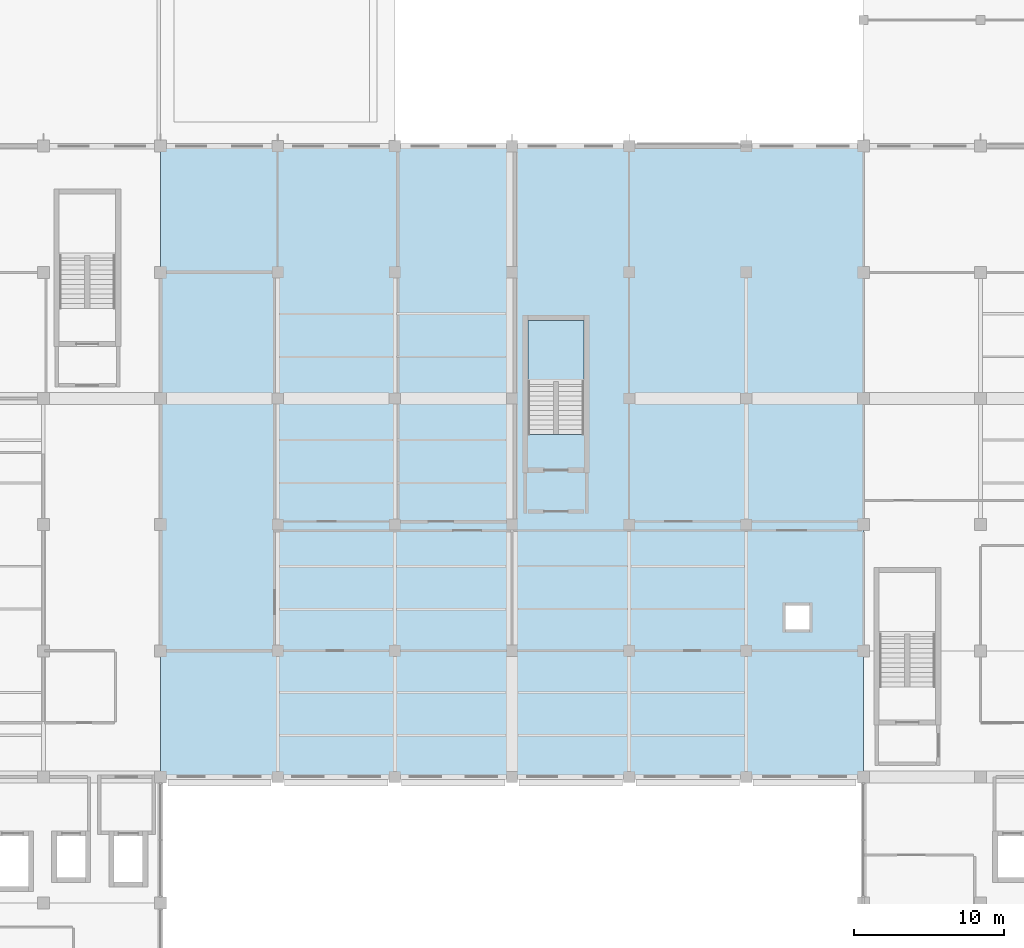
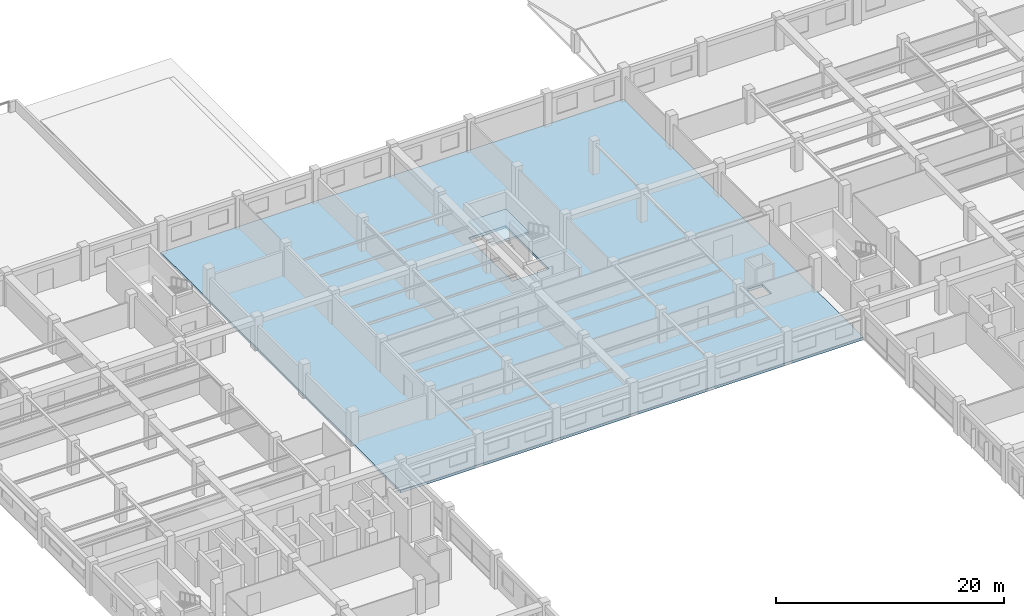
# One storey, part 28 of 50: 2 slabs, 1 element without a shape of its own.
"""IFC4 building model written with IfcOpenShell, lengths in metres."""

from ifc_helpers import new_model, si_unit, direction, frame, origin, place, context, subcontext, project, spatial, polyline, outline, extrude, material, layer, layer_set, type_object, element, aggregate, save


model = new_model("IFC4")

# Units and contexts
model_context = context("Model", 3, precision=1e-05, world=origin(), true_north=direction((0.0, 1.0)))
body_context = subcontext(model_context, "Body", "Model", "MODEL_VIEW")
ifc_project = project(units=[si_unit("LENGTHUNIT", "METRE"), si_unit("AREAUNIT", "SQUARE_METRE"), si_unit("VOLUMEUNIT", "CUBIC_METRE"), si_unit("PLANEANGLEUNIT", "RADIAN"), si_unit("MASSUNIT", "GRAM", prefix="KILO"), si_unit("THERMODYNAMICTEMPERATUREUNIT", "KELVIN"), si_unit("POWERUNIT", "WATT")], contexts=[model_context])

# Site, building, storey
site_placement = place(None, origin())
site = spatial("IfcSite", under=ifc_project, at=site_placement, CompositionType="ELEMENT")
building_placement = place(site_placement, origin())
building = spatial("IfcBuilding", under=site, at=building_placement, Name="Srebrne Nadtorze General Hospital", CompositionType="ELEMENT")
storey_placement = place(building_placement, frame((0.0, 0.0, 14.39990234375)))
storey = spatial("IfcBuildingStorey", under=building, at=storey_placement, Name="L03", CompositionType="ELEMENT", Elevation=14.39990234375)

# Slab
ifc_material_1 = material(Name="Concrete C35/45", Category="concrete")
ifc_layer_1 = layer(ifc_material_1, 0.280029296875)
ifc_layer_set_1 = layer_set([ifc_layer_1], Name="Concrete C35/45")
slab_type_1 = type_object("IfcSlabType", Name="Interstitial slab 280", PredefinedType="FLOOR", material=ifc_layer_set_1)
slab_1_placement = place(storey_placement, frame((0.0, 0.0, -0.27978515625)))
element("IfcSlab", 1, at=slab_1_placement, inside=storey, type_object=slab_type_1, Name="Suspended floor slab SL-L03-SUR", PredefinedType="FLOOR", context=body_context, shape_type="SweptSolid", body=[
    extrude(outline(polyline([(101.39990234375, 50.39990234375), (101.39990234375, 92.39990234375), (54.60009765625, 92.39990234375), (54.60009765625, 50.39990234375), (101.39990234375, 50.39990234375)]), holes=[polyline([(96.199951171875, 60.199951171875), (96.199951171875, 61.800048828125), (97.800048828125, 61.800048828125), (97.800048828125, 60.199951171875), (96.199951171875, 60.199951171875)]), polyline([(79.050048828125, 73.205078125), (79.050048828125, 80.800048828125), (82.800048828125, 80.800048828125), (82.800048828125, 73.205078125), (79.050048828125, 73.205078125)])]), origin(), (0.0, 0.0, 1.0), 0.27978515625),
])

# Stair, slab
ifc_material_2 = material(Name="Concrete C35/45", Category="concrete")
stair_type = type_object("IfcStairType", Name="Dog-leg escape stair 360", PredefinedType="HALF_TURN_STAIR", material=ifc_material_2)
stair_placement = place(storey_placement, origin())
stair = element("IfcStair", 2, at=stair_placement, inside=storey, type_object=stair_type, Name="Escape stair ST-07-L03", PredefinedType="HALF_TURN_STAIR")
ifc_material_3 = material(Name="Concrete C35/45", Category="concrete")
ifc_layer_2 = layer(ifc_material_3, 0.219970703125)
ifc_layer_set_2 = layer_set([ifc_layer_2], Name="Concrete C35/45")
slab_type_2 = type_object("IfcSlabType", Name="Stair landing slab 220", PredefinedType="LANDING", material=ifc_layer_set_2)
slab_2_placement = place(storey_placement, frame((0.0, 0.0, 1.580078125)))
slab_2 = element("IfcSlab", 3, at=slab_2_placement, type_object=slab_type_2, Name="ST-07 landing 1", PredefinedType="LANDING", context=body_context, shape_type="SweptSolid", body=[
    extrude(outline(polyline([(79.050048828125, 76.719970703125), (82.800048828125, 76.719970703125), (82.800048828125, 80.800048828125), (79.050048828125, 80.800048828125), (79.050048828125, 76.719970703125)])), origin(), (0.0, 0.0, 1.0), 0.219970703125),
])
aggregate(stair, [slab_2])

save(model, "model.ifc")
